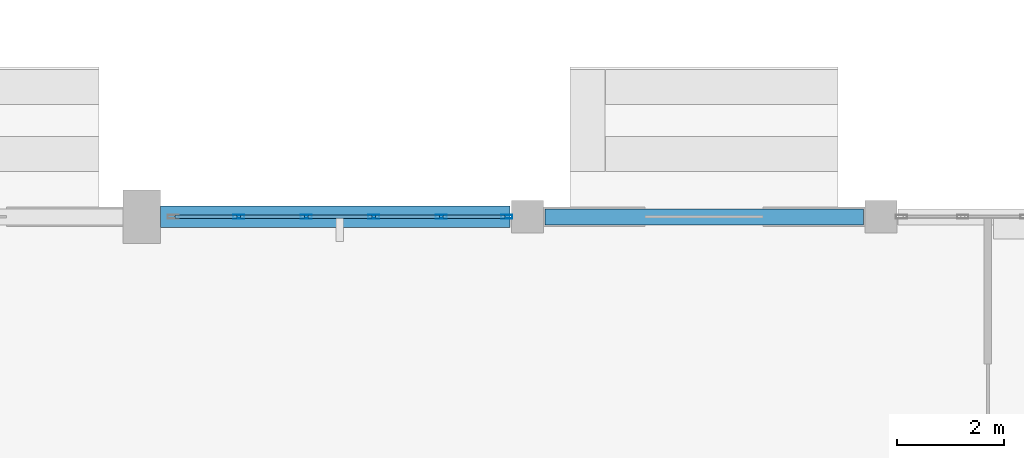
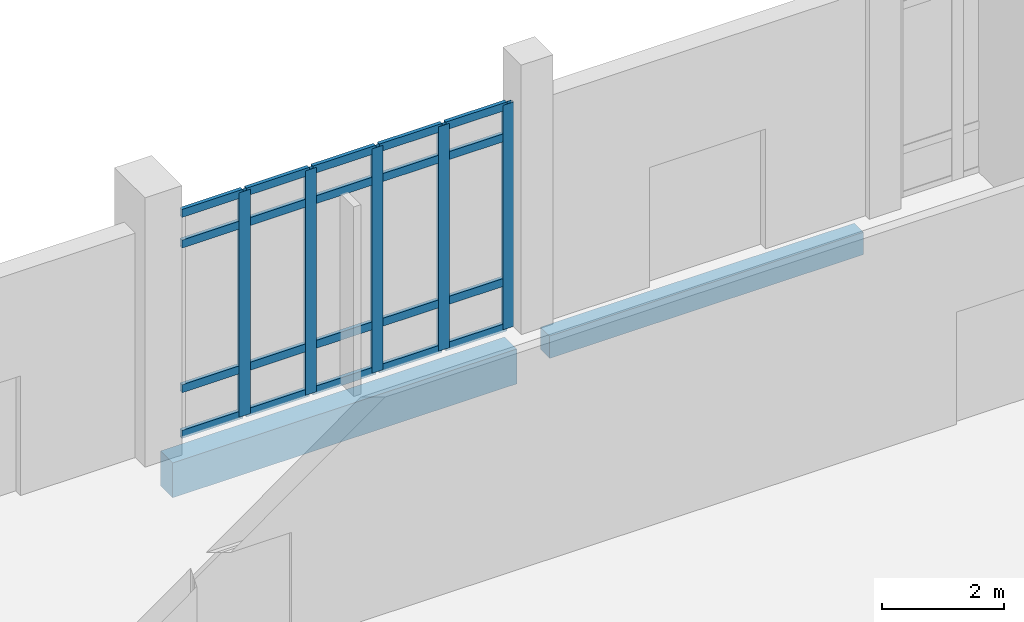
# One storey, part 32 of 110: 25 members, 2 beams, 1 element without a shape of its own.
"""IFC4 building model written with IfcOpenShell, lengths in metres."""

from ifc_helpers import new_model, si_unit, direction, frame, origin, origin_2d, place, context, subcontext, project, spatial, rectangle, hollow_rectangle, extrude, material, material_profile, profile_set, type_object, element, aggregate, save


model = new_model("IFC4")

# Units and contexts
model_context = context("Model", 3, precision=1e-05, world=origin(), true_north=direction((0.0, 1.0)))
body_context = subcontext(model_context, "Body", "Model", "MODEL_VIEW")
ifc_project = project(units=[si_unit("LENGTHUNIT", "METRE"), si_unit("AREAUNIT", "SQUARE_METRE"), si_unit("VOLUMEUNIT", "CUBIC_METRE"), si_unit("PLANEANGLEUNIT", "RADIAN"), si_unit("MASSUNIT", "GRAM", prefix="KILO")], contexts=[model_context])

# Site, building, storey
site_placement = place(None, origin())
site = spatial("IfcSite", under=ifc_project, at=site_placement, CompositionType="ELEMENT")
building_placement = place(site_placement, origin())
building = spatial("IfcBuilding", under=site, at=building_placement, Name="Kalluvel Institute of Natural Sciences", CompositionType="ELEMENT")
storey_placement = place(building_placement, origin())
storey = spatial("IfcBuildingStorey", under=building, at=storey_placement, Name="L00", CompositionType="ELEMENT", Elevation=0.0)

# Curtain wall, members
ifc_material_1 = material(Name="Aluminium AW-6063 T6", Category="aluminium")
curtain_wall_type = type_object("IfcCurtainWallType", Name="CW-SPAV-45", PredefinedType="USERDEFINED", material=ifc_material_1)
curtain_wall_placement = place(storey_placement, origin())
curtain_wall = element("IfcCurtainWall", 1, at=curtain_wall_placement, inside=storey, type_object=curtain_wall_type, Name="L00 Gothic lancet curtain wall CWA-L00-X1226-Y356", ObjectType="UNITISED LANCET FACADE", PredefinedType="USERDEFINED")
ifc_material_profile_1 = material_profile(ifc_material_1, hollow_rectangle(XDim=0.070068359375, YDim=0.2099609375, WallThickness=0.0048828125, at=origin_2d()), Name="CWM 70x210")
ifc_profile_set_1 = profile_set([ifc_material_profile_1], Name="Aluminium AW-6063 T6")
member_type_1 = type_object("IfcMemberType", Name="CWM-70x210", PredefinedType="MULLION", material=ifc_profile_set_1)
member_1_placement = place(storey_placement, frame((123.81005859375, 35.60009765625, 0.0), z_axis=(0.0, 0.0, 1.0), x_axis=(0.0, 1.0, 0.0)))
member_1 = element("IfcMember", 2, at=member_1_placement, type_object=member_type_1, Name="CW-10 mullion 2", PredefinedType="MULLION", context=body_context, shape_type="SweptSolid", body=[
    extrude(hollow_rectangle(XDim=0.070068359375, YDim=0.2099609375, WallThickness=0.0048828125, at=origin_2d()), origin(), (0.0, 0.0, 1.0), 4.5),
])
member_2_placement = place(storey_placement, frame((125.070068359375, 35.60009765625, 0.0), z_axis=(0.0, 0.0, 1.0), x_axis=(0.0, 1.0, 0.0)))
member_2 = element("IfcMember", 3, at=member_2_placement, type_object=member_type_1, Name="CW-10 mullion 3", PredefinedType="MULLION", context=body_context, shape_type="SweptSolid", body=[
    extrude(hollow_rectangle(XDim=0.070068359375, YDim=0.2099609375, WallThickness=0.0048828125, at=origin_2d()), origin(), (0.0, 0.0, 1.0), 4.5),
])
member_3_placement = place(storey_placement, frame((126.330078125, 35.60009765625, 0.0), z_axis=(0.0, 0.0, 1.0), x_axis=(0.0, 1.0, 0.0)))
member_3 = element("IfcMember", 4, at=member_3_placement, type_object=member_type_1, Name="CW-10 mullion 4", PredefinedType="MULLION", context=body_context, shape_type="SweptSolid", body=[
    extrude(hollow_rectangle(XDim=0.070068359375, YDim=0.2099609375, WallThickness=0.0048828125, at=origin_2d()), origin(), (0.0, 0.0, 1.0), 4.5),
])
member_4_placement = place(storey_placement, frame((127.590087890625, 35.60009765625, 0.0), z_axis=(0.0, 0.0, 1.0), x_axis=(0.0, 1.0, 0.0)))
member_4 = element("IfcMember", 5, at=member_4_placement, type_object=member_type_1, Name="CW-10 mullion 5", PredefinedType="MULLION", context=body_context, shape_type="SweptSolid", body=[
    extrude(hollow_rectangle(XDim=0.070068359375, YDim=0.2099609375, WallThickness=0.0048828125, at=origin_2d()), origin(), (0.0, 0.0, 1.0), 4.5),
])
member_5_placement = place(storey_placement, frame((128.81494140625, 35.60009765625, 0.0), z_axis=(0.0, 0.0, 1.0), x_axis=(0.0, 1.0, 0.0)))
member_5 = element("IfcMember", 6, at=member_5_placement, type_object=member_type_1, Name="CW-10 mullion 6", PredefinedType="MULLION", context=body_context, shape_type="SweptSolid", body=[
    extrude(hollow_rectangle(XDim=0.070068359375, YDim=0.2099609375, WallThickness=0.0048828125, at=origin_2d()), origin(), (0.0, 0.0, 1.0), 4.5),
])
ifc_material_profile_2 = material_profile(ifc_material_1, hollow_rectangle(XDim=0.070068359375, YDim=0.159912109375, WallThickness=0.0048828125, at=origin_2d()), Name="CWT 70x160")
ifc_profile_set_2 = profile_set([ifc_material_profile_2], Name="Aluminium AW-6063 T6")
member_type_2 = type_object("IfcMemberType", Name="CWT-70x160", PredefinedType="USERDEFINED", material=ifc_profile_set_2)
member_6_placement = place(storey_placement, frame((122.6201171875, 35.60009765625, 0.034912109375), z_axis=(1.0, 0.0, 0.0), x_axis=(0.0, 1.0, 0.0)))
member_6 = element("IfcMember", 7, at=member_6_placement, type_object=member_type_2, Name="CW-10 transom 1.1", ObjectType="TRANSOM", PredefinedType="USERDEFINED", context=body_context, shape_type="SweptSolid", body=[
    extrude(hollow_rectangle(XDim=0.070068359375, YDim=0.159912109375, WallThickness=0.0048828125, at=origin_2d()), origin(), (0.0, 0.0, 1.0), 1.15478515625),
])
member_7_placement = place(storey_placement, frame((122.6201171875, 35.60009765625, 0.949951171875), z_axis=(1.0, 0.0, 0.0), x_axis=(0.0, 1.0, 0.0)))
member_7 = element("IfcMember", 8, at=member_7_placement, type_object=member_type_2, Name="CW-10 transom 1.2", ObjectType="TRANSOM", PredefinedType="USERDEFINED", context=body_context, shape_type="SweptSolid", body=[
    extrude(hollow_rectangle(XDim=0.070068359375, YDim=0.159912109375, WallThickness=0.0048828125, at=origin_2d()), origin(), (0.0, 0.0, 1.0), 1.15478515625),
])
member_8_placement = place(storey_placement, frame((122.6201171875, 35.60009765625, 3.85009765625), z_axis=(1.0, 0.0, 0.0), x_axis=(0.0, 1.0, 0.0)))
member_8 = element("IfcMember", 9, at=member_8_placement, type_object=member_type_2, Name="CW-10 transom 1.3", ObjectType="TRANSOM", PredefinedType="USERDEFINED", context=body_context, shape_type="SweptSolid", body=[
    extrude(hollow_rectangle(XDim=0.070068359375, YDim=0.159912109375, WallThickness=0.0048828125, at=origin_2d()), origin(), (0.0, 0.0, 1.0), 1.15478515625),
])
member_9_placement = place(storey_placement, frame((122.6201171875, 35.60009765625, 4.465087890625), z_axis=(1.0, 0.0, 0.0), x_axis=(0.0, 1.0, 0.0)))
member_9 = element("IfcMember", 10, at=member_9_placement, type_object=member_type_2, Name="CW-10 transom 1.4", ObjectType="TRANSOM", PredefinedType="USERDEFINED", context=body_context, shape_type="SweptSolid", body=[
    extrude(hollow_rectangle(XDim=0.070068359375, YDim=0.159912109375, WallThickness=0.0048828125, at=origin_2d()), origin(), (0.0, 0.0, 1.0), 1.15478515625),
])
member_10_placement = place(storey_placement, frame((123.844970703125, 35.60009765625, 0.034912109375), z_axis=(1.0, 0.0, 0.0), x_axis=(0.0, 1.0, 0.0)))
member_10 = element("IfcMember", 11, at=member_10_placement, type_object=member_type_2, Name="CW-10 transom 2.1", ObjectType="TRANSOM", PredefinedType="USERDEFINED", context=body_context, shape_type="SweptSolid", body=[
    extrude(hollow_rectangle(XDim=0.070068359375, YDim=0.159912109375, WallThickness=0.0048828125, at=origin_2d()), origin(), (0.0, 0.0, 1.0), 1.18994140625),
])
member_11_placement = place(storey_placement, frame((123.844970703125, 35.60009765625, 0.949951171875), z_axis=(1.0, 0.0, 0.0), x_axis=(0.0, 1.0, 0.0)))
member_11 = element("IfcMember", 12, at=member_11_placement, type_object=member_type_2, Name="CW-10 transom 2.2", ObjectType="TRANSOM", PredefinedType="USERDEFINED", context=body_context, shape_type="SweptSolid", body=[
    extrude(hollow_rectangle(XDim=0.070068359375, YDim=0.159912109375, WallThickness=0.0048828125, at=origin_2d()), origin(), (0.0, 0.0, 1.0), 1.18994140625),
])
member_12_placement = place(storey_placement, frame((123.844970703125, 35.60009765625, 3.85009765625), z_axis=(1.0, 0.0, 0.0), x_axis=(0.0, 1.0, 0.0)))
member_12 = element("IfcMember", 13, at=member_12_placement, type_object=member_type_2, Name="CW-10 transom 2.3", ObjectType="TRANSOM", PredefinedType="USERDEFINED", context=body_context, shape_type="SweptSolid", body=[
    extrude(hollow_rectangle(XDim=0.070068359375, YDim=0.159912109375, WallThickness=0.0048828125, at=origin_2d()), origin(), (0.0, 0.0, 1.0), 1.18994140625),
])
member_13_placement = place(storey_placement, frame((123.844970703125, 35.60009765625, 4.465087890625), z_axis=(1.0, 0.0, 0.0), x_axis=(0.0, 1.0, 0.0)))
member_13 = element("IfcMember", 14, at=member_13_placement, type_object=member_type_2, Name="CW-10 transom 2.4", ObjectType="TRANSOM", PredefinedType="USERDEFINED", context=body_context, shape_type="SweptSolid", body=[
    extrude(hollow_rectangle(XDim=0.070068359375, YDim=0.159912109375, WallThickness=0.0048828125, at=origin_2d()), origin(), (0.0, 0.0, 1.0), 1.18994140625),
])
member_14_placement = place(storey_placement, frame((125.10498046875, 35.60009765625, 0.034912109375), z_axis=(1.0, 0.0, 0.0), x_axis=(0.0, 1.0, 0.0)))
member_14 = element("IfcMember", 15, at=member_14_placement, type_object=member_type_2, Name="CW-10 transom 3.1", ObjectType="TRANSOM", PredefinedType="USERDEFINED", context=body_context, shape_type="SweptSolid", body=[
    extrude(hollow_rectangle(XDim=0.070068359375, YDim=0.159912109375, WallThickness=0.0048828125, at=origin_2d()), origin(), (0.0, 0.0, 1.0), 1.18994140625),
])
member_15_placement = place(storey_placement, frame((125.10498046875, 35.60009765625, 0.949951171875), z_axis=(1.0, 0.0, 0.0), x_axis=(0.0, 1.0, 0.0)))
member_15 = element("IfcMember", 16, at=member_15_placement, type_object=member_type_2, Name="CW-10 transom 3.2", ObjectType="TRANSOM", PredefinedType="USERDEFINED", context=body_context, shape_type="SweptSolid", body=[
    extrude(hollow_rectangle(XDim=0.070068359375, YDim=0.159912109375, WallThickness=0.0048828125, at=origin_2d()), origin(), (0.0, 0.0, 1.0), 1.18994140625),
])
member_16_placement = place(storey_placement, frame((125.10498046875, 35.60009765625, 3.85009765625), z_axis=(1.0, 0.0, 0.0), x_axis=(0.0, 1.0, 0.0)))
member_16 = element("IfcMember", 17, at=member_16_placement, type_object=member_type_2, Name="CW-10 transom 3.3", ObjectType="TRANSOM", PredefinedType="USERDEFINED", context=body_context, shape_type="SweptSolid", body=[
    extrude(hollow_rectangle(XDim=0.070068359375, YDim=0.159912109375, WallThickness=0.0048828125, at=origin_2d()), origin(), (0.0, 0.0, 1.0), 1.18994140625),
])
member_17_placement = place(storey_placement, frame((125.10498046875, 35.60009765625, 4.465087890625), z_axis=(1.0, 0.0, 0.0), x_axis=(0.0, 1.0, 0.0)))
member_17 = element("IfcMember", 18, at=member_17_placement, type_object=member_type_2, Name="CW-10 transom 3.4", ObjectType="TRANSOM", PredefinedType="USERDEFINED", context=body_context, shape_type="SweptSolid", body=[
    extrude(hollow_rectangle(XDim=0.070068359375, YDim=0.159912109375, WallThickness=0.0048828125, at=origin_2d()), origin(), (0.0, 0.0, 1.0), 1.18994140625),
])
member_18_placement = place(storey_placement, frame((126.364990234375, 35.60009765625, 0.034912109375), z_axis=(1.0, 0.0, 0.0), x_axis=(0.0, 1.0, 0.0)))
member_18 = element("IfcMember", 19, at=member_18_placement, type_object=member_type_2, Name="CW-10 transom 4.1", ObjectType="TRANSOM", PredefinedType="USERDEFINED", context=body_context, shape_type="SweptSolid", body=[
    extrude(hollow_rectangle(XDim=0.070068359375, YDim=0.159912109375, WallThickness=0.0048828125, at=origin_2d()), origin(), (0.0, 0.0, 1.0), 1.18994140625),
])
member_19_placement = place(storey_placement, frame((126.364990234375, 35.60009765625, 0.949951171875), z_axis=(1.0, 0.0, 0.0), x_axis=(0.0, 1.0, 0.0)))
member_19 = element("IfcMember", 20, at=member_19_placement, type_object=member_type_2, Name="CW-10 transom 4.2", ObjectType="TRANSOM", PredefinedType="USERDEFINED", context=body_context, shape_type="SweptSolid", body=[
    extrude(hollow_rectangle(XDim=0.070068359375, YDim=0.159912109375, WallThickness=0.0048828125, at=origin_2d()), origin(), (0.0, 0.0, 1.0), 1.18994140625),
])
member_20_placement = place(storey_placement, frame((126.364990234375, 35.60009765625, 3.85009765625), z_axis=(1.0, 0.0, 0.0), x_axis=(0.0, 1.0, 0.0)))
member_20 = element("IfcMember", 21, at=member_20_placement, type_object=member_type_2, Name="CW-10 transom 4.3", ObjectType="TRANSOM", PredefinedType="USERDEFINED", context=body_context, shape_type="SweptSolid", body=[
    extrude(hollow_rectangle(XDim=0.070068359375, YDim=0.159912109375, WallThickness=0.0048828125, at=origin_2d()), origin(), (0.0, 0.0, 1.0), 1.18994140625),
])
member_21_placement = place(storey_placement, frame((126.364990234375, 35.60009765625, 4.465087890625), z_axis=(1.0, 0.0, 0.0), x_axis=(0.0, 1.0, 0.0)))
member_21 = element("IfcMember", 22, at=member_21_placement, type_object=member_type_2, Name="CW-10 transom 4.4", ObjectType="TRANSOM", PredefinedType="USERDEFINED", context=body_context, shape_type="SweptSolid", body=[
    extrude(hollow_rectangle(XDim=0.070068359375, YDim=0.159912109375, WallThickness=0.0048828125, at=origin_2d()), origin(), (0.0, 0.0, 1.0), 1.18994140625),
])
member_22_placement = place(storey_placement, frame((127.625, 35.60009765625, 0.034912109375), z_axis=(1.0, 0.0, 0.0), x_axis=(0.0, 1.0, 0.0)))
member_22 = element("IfcMember", 23, at=member_22_placement, type_object=member_type_2, Name="CW-10 transom 5.1", ObjectType="TRANSOM", PredefinedType="USERDEFINED", context=body_context, shape_type="SweptSolid", body=[
    extrude(hollow_rectangle(XDim=0.070068359375, YDim=0.159912109375, WallThickness=0.0048828125, at=origin_2d()), origin(), (0.0, 0.0, 1.0), 1.155029296875),
])
member_23_placement = place(storey_placement, frame((127.625, 35.60009765625, 0.949951171875), z_axis=(1.0, 0.0, 0.0), x_axis=(0.0, 1.0, 0.0)))
member_23 = element("IfcMember", 24, at=member_23_placement, type_object=member_type_2, Name="CW-10 transom 5.2", ObjectType="TRANSOM", PredefinedType="USERDEFINED", context=body_context, shape_type="SweptSolid", body=[
    extrude(hollow_rectangle(XDim=0.070068359375, YDim=0.159912109375, WallThickness=0.0048828125, at=origin_2d()), origin(), (0.0, 0.0, 1.0), 1.155029296875),
])
member_24_placement = place(storey_placement, frame((127.625, 35.60009765625, 3.85009765625), z_axis=(1.0, 0.0, 0.0), x_axis=(0.0, 1.0, 0.0)))
member_24 = element("IfcMember", 25, at=member_24_placement, type_object=member_type_2, Name="CW-10 transom 5.3", ObjectType="TRANSOM", PredefinedType="USERDEFINED", context=body_context, shape_type="SweptSolid", body=[
    extrude(hollow_rectangle(XDim=0.070068359375, YDim=0.159912109375, WallThickness=0.0048828125, at=origin_2d()), origin(), (0.0, 0.0, 1.0), 1.155029296875),
])
member_25_placement = place(storey_placement, frame((127.625, 35.60009765625, 4.465087890625), z_axis=(1.0, 0.0, 0.0), x_axis=(0.0, 1.0, 0.0)))
member_25 = element("IfcMember", 26, at=member_25_placement, type_object=member_type_2, Name="CW-10 transom 5.4", ObjectType="TRANSOM", PredefinedType="USERDEFINED", context=body_context, shape_type="SweptSolid", body=[
    extrude(hollow_rectangle(XDim=0.070068359375, YDim=0.159912109375, WallThickness=0.0048828125, at=origin_2d()), origin(), (0.0, 0.0, 1.0), 1.155029296875),
])
aggregate(curtain_wall, [member_1, member_2, member_3, member_4, member_5, member_6, member_7, member_8, member_9, member_10, member_11, member_12, member_13, member_14, member_15, member_16, member_17, member_18, member_19, member_20, member_21, member_22, member_23, member_24, member_25])

# Beams
ifc_material_2 = material(Name="Concrete M40", Category="concrete")
ifc_material_profile_3 = material_profile(ifc_material_2, rectangle(XDim=0.300048828125, YDim=0.449951171875, at=origin_2d()), Name="RCB 300x450")
ifc_profile_set_3 = profile_set([ifc_material_profile_3], Name="Concrete M40")
beam_type_1 = type_object("IfcBeamType", Name="SP-RC300x450", PredefinedType="SPANDREL", material=ifc_profile_set_3)
beam_1_placement = place(storey_placement, frame((129.52490234375, 35.60009765625, -0.56494140625), z_axis=(1.0, 0.0, 0.0), x_axis=(0.0, 1.0, 0.0)))
element("IfcBeam", 27, at=beam_1_placement, inside=storey, type_object=beam_type_1, Name="L00 girder GIR-L00-EW-X1292-Y356", PredefinedType="SPANDREL", context=body_context, shape_type="SweptSolid", body=[
    extrude(rectangle(XDim=0.300048828125, YDim=0.449951171875, at=origin_2d()), origin(), (0.0, 0.0, 1.0), 5.9501953125),
])
ifc_material_profile_4 = material_profile(ifc_material_2, rectangle(XDim=0.39990234375, YDim=0.699951171875, at=origin_2d()), Name="RCB 400x700")
ifc_profile_set_4 = profile_set([ifc_material_profile_4], Name="Concrete M40")
beam_type_2 = type_object("IfcBeamType", Name="SP-RC400x700", PredefinedType="SPANDREL", material=ifc_profile_set_4)
beam_2_placement = place(storey_placement, frame((122.35009765625, 35.60009765625, -0.68994140625), z_axis=(1.0, 0.0, 0.0), x_axis=(0.0, 1.0, 0.0)))
element("IfcBeam", 28, at=beam_2_placement, inside=storey, type_object=beam_type_2, Name="L00 girder GIR-L00-EW-X1220-Y356", PredefinedType="SPANDREL", context=body_context, shape_type="SweptSolid", body=[
    extrude(rectangle(XDim=0.39990234375, YDim=0.699951171875, at=origin_2d()), origin(), (0.0, 0.0, 1.0), 6.52490234375),
])

save(model, "model.ifc")
